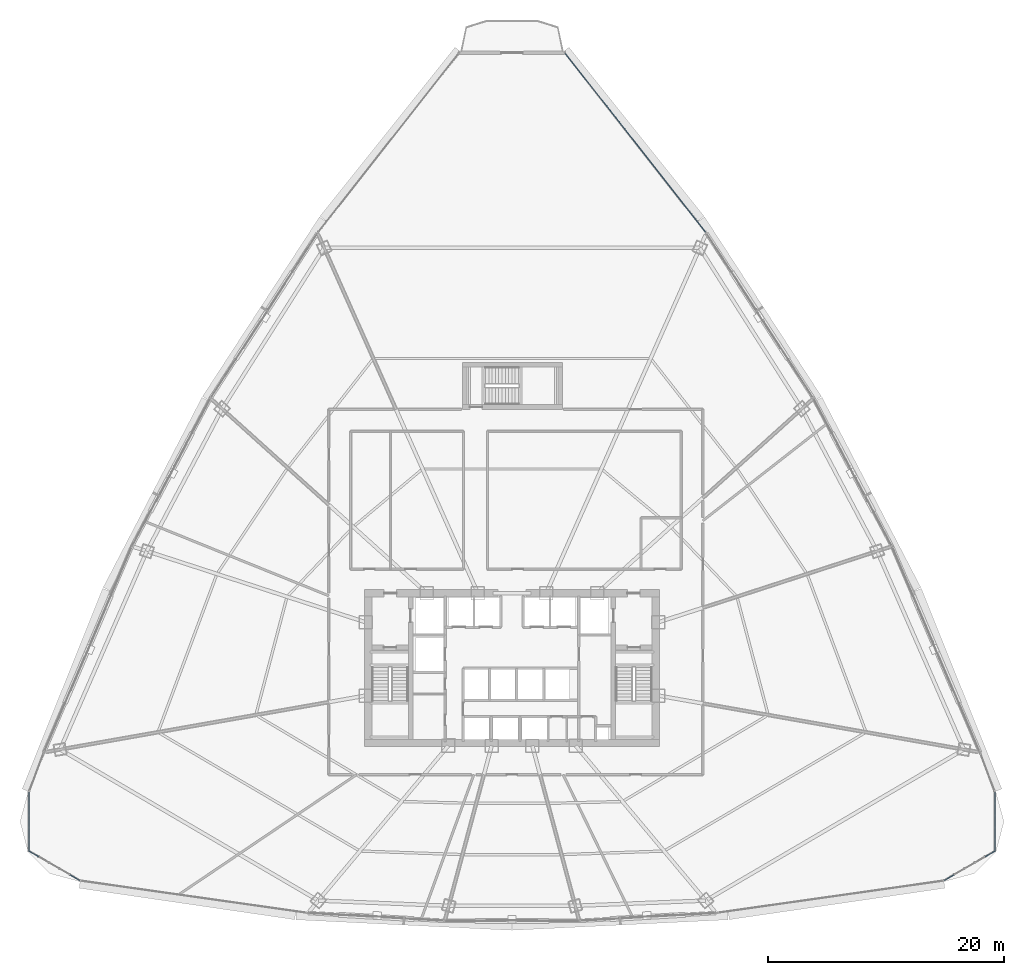
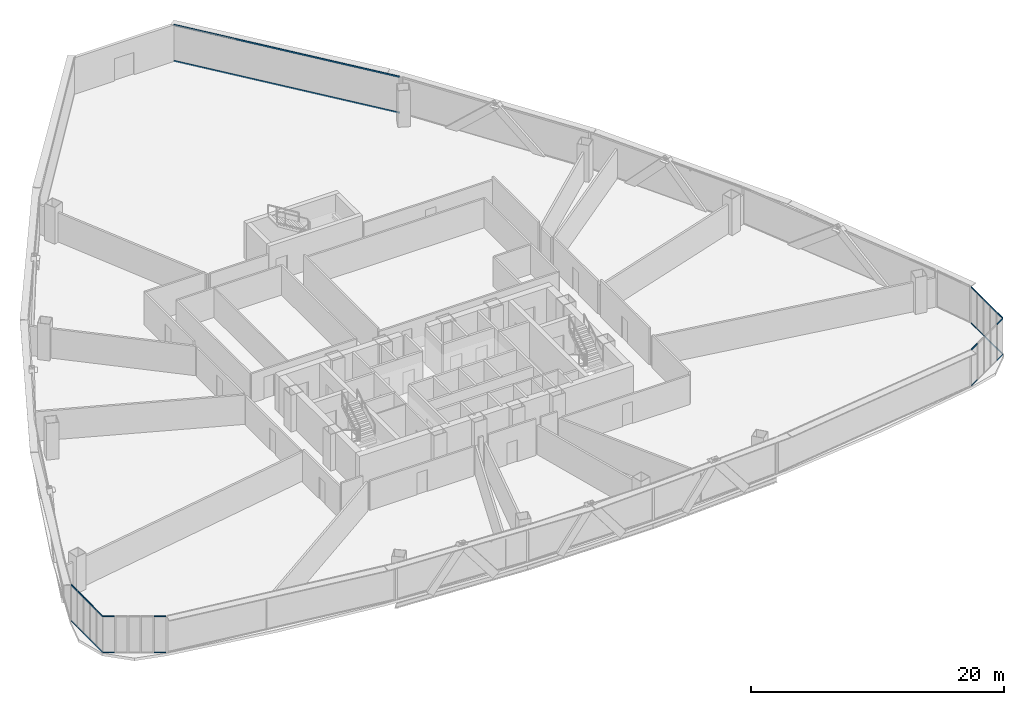
# One storey, part 29 of 41: 30 members, 5 elements without a shape of their own.
"""IFC4 building model written with IfcOpenShell, lengths in metres."""

import ifcopenshell
import ifcopenshell.guid

model = None  # the IFC model being written
_history = None  # IfcOwnerHistory: only IFC2X3 demands one
_inside = {}  # id of a spatial element -> (the spatial element, [elements in it])
_under = {}  # id of a project, library or spatial element -> (it, [spatial elements below it])
_declared = {}  # id of a project -> (the project, [libraries it declares])
_typed = {}  # id of a type object -> (the type object, [elements of that type])
_made_of = {}  # id of a material, layer set ... -> (it, [elements and type objects made of it])


def new_model(schema):
    """Start an empty IFC model of exactly this schema.

    Asked for "IFC4X3", IfcOpenShell would pick the latest addendum, in which some entities
    have other attributes; the version numbers below select the first issue.
    IFC2X3 requires an IfcOwnerHistory on every rooted entity: one is made here for all.
    """
    global model, _history
    if schema == "IFC4X3":
        model = ifcopenshell.file(schema_version=(4, 3, 0, 0))
    else:
        model = ifcopenshell.file(schema=schema)
    _inside.clear()
    _under.clear()
    _declared.clear()
    _typed.clear()
    _made_of.clear()
    _history = None
    if model.schema == "IFC2X3":
        org = make("IfcOrganization", Name="unknown")
        user = make(
            "IfcPersonAndOrganization",
            ThePerson=make("IfcPerson", FamilyName="unknown"),
            TheOrganization=org,
        )
        app = make(
            "IfcApplication",
            ApplicationDeveloper=org,
            Version="unknown",
            ApplicationFullName="unknown",
            ApplicationIdentifier="unknown",
        )
        _history = make(
            "IfcOwnerHistory",
            OwningUser=user,
            OwningApplication=app,
            ChangeAction="ADDED",
            CreationDate=0,
        )
    return model


def make(cls, **values):
    """One entity of the class cls with the attributes given. An attribute that is None is left unset."""
    return model.create_entity(
        cls, **{name: value for name, value in values.items() if value is not None}
    )


def rooted(cls, **values):
    """An entity with a GlobalId (a new one), such as an element, a storey or a relation."""
    return make(cls, GlobalId=ifcopenshell.guid.new(), OwnerHistory=_history, **values)


def si_unit(unit_type, name, prefix=None):
    """IfcSIUnit, for example si_unit("LENGTHUNIT", "METRE", prefix="MILLI")."""
    return make("IfcSIUnit", UnitType=unit_type, Prefix=prefix, Name=name)


def assignment(units):
    """IfcUnitAssignment: the units of a project."""
    return None if units is None else make("IfcUnitAssignment", Units=units)


def point(xyz):
    """IfcCartesianPoint."""
    return None if xyz is None else make("IfcCartesianPoint", Coordinates=xyz)


def direction(xyz):
    """IfcDirection."""
    return None if xyz is None else make("IfcDirection", DirectionRatios=xyz)


def frame(location, z_axis=None, x_axis=None):
    """IfcAxis2Placement3D, a coordinate frame: its origin and axes. An axis left out is left unset."""
    return make(
        "IfcAxis2Placement3D",
        Location=point(location),
        Axis=direction(z_axis),
        RefDirection=direction(x_axis),
    )


def frame_2d(location, x_axis=None):
    """IfcAxis2Placement2D, a coordinate frame in the plane: its origin and x axis."""
    return make(
        "IfcAxis2Placement2D", Location=point(location), RefDirection=direction(x_axis)
    )


def origin():
    """The frame at (0, 0, 0) with its axes left unset."""
    return frame((0.0, 0.0, 0.0))


def origin_2d():
    """The frame at (0, 0) in the plane with its x axis left unset."""
    return frame_2d((0.0, 0.0))


def place(relative_to, where):
    """IfcLocalPlacement: puts the frame where relative to a parent placement (None: the world)."""
    return make(
        "IfcLocalPlacement", PlacementRelTo=relative_to, RelativePlacement=where
    )


def context(
    kind, dimensions, precision=None, world=None, true_north=None, identifier=None
):
    """IfcGeometricRepresentationContext, for example the 3D "Model" context."""
    return make(
        "IfcGeometricRepresentationContext",
        ContextIdentifier=identifier,
        ContextType=kind,
        CoordinateSpaceDimension=dimensions,
        Precision=precision,
        WorldCoordinateSystem=world,
        TrueNorth=true_north,
    )


def subcontext(parent, identifier, kind, view, scale=None):
    """IfcGeometricRepresentationSubContext, for example "Body" below "Model"."""
    return make(
        "IfcGeometricRepresentationSubContext",
        ContextIdentifier=identifier,
        ContextType=kind,
        ParentContext=parent,
        TargetScale=scale,
        TargetView=view,
    )


def project(units=None, contexts=None):
    """IfcProject with its units and contexts."""
    return rooted(
        "IfcProject",
        Name="project",
        RepresentationContexts=contexts,
        UnitsInContext=assignment(units),
    )


def spatial(cls, under=None, at=None, **own):
    """A site, building, storey or space (cls), placed at a placement, below another one or the project."""
    s = rooted(cls, ObjectPlacement=at, **own)
    if under is not None:
        _under.setdefault(under.id(), (under, []))[1].append(s)
    return s


def profile(cls, at=None, kind="AREA", **sizes):
    """A parametric profile (cls). Its sizes go by their IFC names, for example OverallWidth=200.0."""
    return make(cls, ProfileType=kind, Position=at, **sizes)


def hollow_rectangle(**sizes):
    """IfcRectangleHollowProfileDef."""
    return profile("IfcRectangleHollowProfileDef", **sizes)


def extrude(swept, where, along, depth):
    """IfcExtrudedAreaSolid: the profile swept, set in the frame where, extruded along a direction by depth."""
    return make(
        "IfcExtrudedAreaSolid",
        SweptArea=swept,
        Position=where,
        ExtrudedDirection=direction(along),
        Depth=depth,
    )


def shape(context_of_items, identifier, shape_type, items):
    """IfcShapeRepresentation: the items that make up one representation, for example the "Body"."""
    return make(
        "IfcShapeRepresentation",
        ContextOfItems=context_of_items,
        RepresentationIdentifier=identifier,
        RepresentationType=shape_type,
        Items=items,
    )


def source(mapping_origin, context_of_items, identifier, shape_type, items):
    """IfcRepresentationMap: a shape defined once, which mapped items show again and again."""
    return make(
        "IfcRepresentationMap",
        MappingOrigin=mapping_origin,
        MappedRepresentation=shape(context_of_items, identifier, shape_type, items),
    )


def transform(
    local_origin,
    x_axis=None,
    y_axis=None,
    z_axis=None,
    scale=None,
    scale2=None,
    scale3=None,
    uniform=True,
):
    """IfcCartesianTransformationOperator3D, or its non-uniform kind. x_axis, y_axis, z_axis: its Axis1, 2, 3."""
    if uniform:
        return make(
            "IfcCartesianTransformationOperator3D",
            Axis1=direction(x_axis),
            Axis2=direction(y_axis),
            LocalOrigin=point(local_origin),
            Scale=scale,
            Axis3=direction(z_axis),
        )
    return make(
        "IfcCartesianTransformationOperator3DnonUniform",
        Axis1=direction(x_axis),
        Axis2=direction(y_axis),
        LocalOrigin=point(local_origin),
        Scale=scale,
        Axis3=direction(z_axis),
        Scale2=scale2,
        Scale3=scale3,
    )


def mapped(mapping_source, mapping_target):
    """IfcMappedItem: shows the shape of a source again, moved by a transform."""
    return make(
        "IfcMappedItem", MappingSource=mapping_source, MappingTarget=mapping_target
    )


def material(Name=None, Category=None):
    """IfcMaterial."""
    return make("IfcMaterial", Name=Name, Category=Category)


def layer(
    of_material, thickness, ventilated=None, Name=None, Category=None, Priority=None
):
    """IfcMaterialLayer: one layer of a wall or slab, of a material (None: an air gap)."""
    return make(
        "IfcMaterialLayer",
        Material=of_material,
        LayerThickness=thickness,
        IsVentilated=ventilated,
        Name=Name,
        Category=Category,
        Priority=Priority,
    )


def layer_set(layers, Name=None):
    """IfcMaterialLayerSet."""
    return make("IfcMaterialLayerSet", MaterialLayers=layers, LayerSetName=Name)


def material_profile(
    of_material, cross_section, Name=None, Category=None, Priority=None
):
    """IfcMaterialProfile: a cross section and its material."""
    return make(
        "IfcMaterialProfile",
        Name=Name,
        Material=of_material,
        Profile=cross_section,
        Priority=Priority,
        Category=Category,
    )


def profile_set(profiles, Name=None, composite=None):
    """IfcMaterialProfileSet."""
    return make(
        "IfcMaterialProfileSet",
        Name=Name,
        MaterialProfiles=profiles,
        CompositeProfile=composite,
    )


def made_of(thing, what):
    """Note that an element or type object is made of a material, layer set ...; save() writes the relation."""
    if what is not None:
        _made_of.setdefault(what.id(), (what, []))[1].append(thing)
    return thing


def type_object(cls, material=None, **own):
    """A type object (cls), such as IfcWallType, which elements share."""
    return made_of(rooted(cls, **own), material)


def element(
    cls,
    number,
    at=None,
    inside=None,
    cuts=None,
    type_object=None,
    material=None,
    context=None,
    identifier="Body",
    shape_type=None,
    held_by="IfcProductDefinitionShape",
    body=None,
    shapes=None,
    **own,
):
    """One element of the class cls, such as IfcWall. Its Tag is "e" and its number.

    at: its placement. inside: the storey or other place that contains it. cuts: it is an
    opening in that element (IfcRelVoidsElement). A single representation is given by context,
    identifier, shape_type and body (its items); several are given by shapes. held_by: the class
    of the entity that holds the representations. save() writes the other relations.
    """
    e = rooted(cls, Tag="e%d" % number, ObjectPlacement=at, **own)
    if body is not None:
        shapes = [shape(context, identifier, shape_type, body)]
    if shapes is not None:
        e.Representation = make(held_by, Representations=shapes)
    if inside is not None:
        _inside.setdefault(inside.id(), (inside, []))[1].append(e)
    if cuts is not None:
        rooted(
            "IfcRelVoidsElement", RelatingBuildingElement=cuts, RelatedOpeningElement=e
        )
    if type_object is not None:
        _typed.setdefault(type_object.id(), (type_object, []))[1].append(e)
    return made_of(e, material)


def aggregate(whole, parts):
    """IfcRelAggregates: a whole, such as a stair, and the parts it consists of."""
    return rooted("IfcRelAggregates", RelatingObject=whole, RelatedObjects=parts)


def save(model, path):
    """Write the relations noted so far, then the file.

    IfcRelAggregates (storeys below a building ...), IfcRelContainedInSpatialStructure (elements
    in a storey), IfcRelDefinesByType, IfcRelAssociatesMaterial and IfcRelDeclares: one each for
    every whole, place, type object, material and project.
    """
    for whole, parts in _under.values():
        aggregate(whole, parts)
    for where, things in _inside.values():
        rooted(
            "IfcRelContainedInSpatialStructure",
            RelatedElements=things,
            RelatingStructure=where,
        )
    for kind, things in _typed.values():
        rooted("IfcRelDefinesByType", RelatedObjects=things, RelatingType=kind)
    for what, things in _made_of.values():
        rooted("IfcRelAssociatesMaterial", RelatedObjects=things, RelatingMaterial=what)
    for by, libraries in _declared.values():
        rooted("IfcRelDeclares", RelatingContext=by, RelatedDefinitions=libraries)
    model.write(path)


model = new_model("IFC4")

# Units and contexts
model_context = context("Model", 3, precision=1e-05, world=origin(), true_north=direction((0.0, 1.0)))
body_context = subcontext(model_context, "Body", "Model", "MODEL_VIEW")
ifc_project = project(units=[si_unit("LENGTHUNIT", "METRE"), si_unit("AREAUNIT", "SQUARE_METRE"), si_unit("VOLUMEUNIT", "CUBIC_METRE"), si_unit("PLANEANGLEUNIT", "RADIAN"), si_unit("MASSUNIT", "GRAM", prefix="KILO"), si_unit("THERMODYNAMICTEMPERATUREUNIT", "KELVIN"), si_unit("POWERUNIT", "WATT")], contexts=[model_context])

# Site, building, storey
site_placement = place(None, origin())
site = spatial("IfcSite", under=ifc_project, at=site_placement, CompositionType="ELEMENT")
building_placement = place(site_placement, origin())
building = spatial("IfcBuilding", under=site, at=building_placement, Name="Yunzhuo Pagoda Commons", CompositionType="ELEMENT")
storey_placement = place(building_placement, frame((0.0, 0.0, 115.3798828125)))
storey = spatial("IfcBuildingStorey", under=building, at=storey_placement, Name="L29", CompositionType="ELEMENT", Elevation=115.3798828125)

# Curtain wall, members
ifc_material = material(Name="Anodized aluminium 6063-T6", Category="aluminium")
ifc_layer_1 = layer(ifc_material, 0.1650390625)
ifc_layer_set_1 = layer_set([ifc_layer_1], Name="Anodized aluminium 6063-T6")
curtain_wall_type_1 = type_object("IfcCurtainWallType", Name="CW-LOW Low-Zone Ribbon Curtain Wall", PredefinedType="NOTDEFINED", material=ifc_layer_set_1)
curtain_wall_1_placement = place(storey_placement, origin())
curtain_wall_1 = element("IfcCurtainWall", 1, at=curtain_wall_1_placement, inside=storey, type_object=curtain_wall_type_1, Name="L29 curtain wall CW-L29-F2B5", PredefinedType="NOTDEFINED")
ifc_material_profile_1 = material_profile(ifc_material, hollow_rectangle(XDim=0.06005859375, YDim=0.139892578125, WallThickness=0.00341796875, at=origin_2d()), Name="Anodized aluminium 6063-T6")
ifc_profile_set_1 = profile_set([ifc_material_profile_1], Name="Anodized aluminium 6063-T6")
member_type_1 = type_object("IfcMemberType", Name="CW-LOW-T Transom RHS 140x60x3.5", PredefinedType="USERDEFINED", material=ifc_profile_set_1)
shared_shape_1 = source(origin(), body_context, "Body", "SweptSolid", [
    extrude(hollow_rectangle(XDim=0.06005859375, YDim=0.139892578125, WallThickness=0.00341796875, at=origin_2d()), origin(), (0.0, 0.0, 1.0), 19.262451171875),
])
member_1_placement = place(storey_placement, frame((64.416015625, 70.875, 0.030029296875), z_axis=(-0.617738145231, 0.786383865505, 0.0), x_axis=(-0.786383865505, -0.617738145231, 0.0)))
member_1 = element("IfcMember", 2, at=member_1_placement, type_object=member_type_1, Name="CW transom 1.1", ObjectType="TRANSOM", PredefinedType="USERDEFINED", context=body_context, shape_type="MappedRepresentation", body=[
    mapped(shared_shape_1, transform((0.0, 0.0, 0.0), scale=1.0)),
])
member_2_placement = place(storey_placement, frame((64.416015625, 70.875, 3.490234375), z_axis=(-0.617738145231, 0.786383865505, 0.0), x_axis=(-0.786383865505, -0.617738145231, 0.0)))
member_2 = element("IfcMember", 3, at=member_2_placement, type_object=member_type_1, Name="CW transom 1.2", ObjectType="TRANSOM", PredefinedType="USERDEFINED", context=body_context, shape_type="MappedRepresentation", body=[
    mapped(shared_shape_1, transform((0.0, 0.0, 0.0), scale=1.0)),
])
aggregate(curtain_wall_1, [member_1, member_2])

ifc_layer_2 = layer(ifc_material, 0.1298828125)
ifc_layer_set_2 = layer_set([ifc_layer_2], Name="Anodized aluminium 6063-T6")
curtain_wall_type_2 = type_object("IfcCurtainWallType", Name="CW-VTX Rounded Corner Curtain Wall", PredefinedType="NOTDEFINED", material=ifc_layer_set_2)
curtain_wall_2_placement = place(storey_placement, origin())
curtain_wall_2 = element("IfcCurtainWall", 4, at=curtain_wall_2_placement, inside=storey, type_object=curtain_wall_type_2, Name="L29 curtain wall CW-L29-VTX1S1", PredefinedType="NOTDEFINED")
ifc_material_profile_2 = material_profile(ifc_material, hollow_rectangle(XDim=0.054931640625, YDim=0.1201171875, WallThickness=0.00341796875, at=origin_2d()), Name="Anodized aluminium 6063-T6")
ifc_profile_set_2 = profile_set([ifc_material_profile_2], Name="Anodized aluminium 6063-T6")
member_type_2 = type_object("IfcMemberType", Name="CW-VTX-T Transom RHS 120x55x3.5", PredefinedType="USERDEFINED", material=ifc_profile_set_2)
shared_shape_2 = source(origin(), body_context, "Body", "SweptSolid", [
    extrude(hollow_rectangle(XDim=0.054931640625, YDim=0.1201171875, WallThickness=0.00341796875, at=origin_2d()), origin(), (0.0, 0.0, 1.0), 0.93408203125),
])
member_3_placement = place(storey_placement, frame((7.011962890625, 23.301513671875, 0.027587890625), z_axis=(-0.003659149575, -0.99999330529, 0.0), x_axis=(0.99999330529, -0.003659149575, 0.0)))
member_3 = element("IfcMember", 5, at=member_3_placement, type_object=member_type_2, Name="CW transom 1.1", ObjectType="TRANSOM", PredefinedType="USERDEFINED", context=body_context, shape_type="MappedRepresentation", body=[
    mapped(shared_shape_2, transform((0.0, 0.0, 0.0), scale=1.0)),
])
member_4_placement = place(storey_placement, frame((7.011962890625, 23.301513671875, 3.49267578125), z_axis=(-0.003659149575, -0.99999330529, 0.0), x_axis=(0.99999330529, -0.003659149575, 0.0)))
member_4 = element("IfcMember", 6, at=member_4_placement, type_object=member_type_2, Name="CW transom 1.2", ObjectType="TRANSOM", PredefinedType="USERDEFINED", context=body_context, shape_type="MappedRepresentation", body=[
    mapped(shared_shape_2, transform((0.0, 0.0, 0.0), scale=1.0)),
])

curtain_wall_3_placement = place(storey_placement, origin())
curtain_wall_3 = element("IfcCurtainWall", 7, at=curtain_wall_3_placement, inside=storey, type_object=curtain_wall_type_2, Name="L29 curtain wall CW-L29-VTX2S1", PredefinedType="NOTDEFINED")
member_5_placement = place(storey_placement, frame((84.69384765625, 15.822265625, 0.027587890625), z_axis=(0.865414355233, 0.501056876769, 0.0), x_axis=(-0.501056876769, 0.865414355233, 0.0)))
member_5 = element("IfcMember", 8, at=member_5_placement, type_object=member_type_2, Name="CW transom 1.1", ObjectType="TRANSOM", PredefinedType="USERDEFINED", context=body_context, shape_type="MappedRepresentation", body=[
    mapped(shared_shape_2, transform((0.0, 0.0, 0.0), scale=1.0)),
])
member_6_placement = place(storey_placement, frame((84.69384765625, 15.822265625, 3.49267578125), z_axis=(0.865414355233, 0.501056876769, 0.0), x_axis=(-0.501056876769, 0.865414355233, 0.0)))
member_6 = element("IfcMember", 9, at=member_6_placement, type_object=member_type_2, Name="CW transom 1.2", ObjectType="TRANSOM", PredefinedType="USERDEFINED", context=body_context, shape_type="MappedRepresentation", body=[
    mapped(shared_shape_2, transform((0.0, 0.0, 0.0), scale=1.0)),
])

curtain_wall_4_placement = place(storey_placement, origin())
curtain_wall_4 = element("IfcCurtainWall", 10, at=curtain_wall_4_placement, inside=storey, type_object=curtain_wall_type_2, Name="L29 curtain wall CW-L29-VTX2S2", PredefinedType="NOTDEFINED")
member_7_placement = place(storey_placement, frame((88.991455078125, 22.367431640625, 0.027587890625), z_axis=(-0.003659149575, 0.99999330529, 0.0), x_axis=(-0.99999330529, -0.003659149575, 0.0)))
member_7 = element("IfcMember", 11, at=member_7_placement, type_object=member_type_2, Name="CW transom 5.1", ObjectType="TRANSOM", PredefinedType="USERDEFINED", context=body_context, shape_type="MappedRepresentation", body=[
    mapped(shared_shape_2, transform((0.0, 0.0, 0.0), scale=1.0)),
])
member_8_placement = place(storey_placement, frame((88.991455078125, 22.367431640625, 3.49267578125), z_axis=(-0.003659149575, 0.99999330529, 0.0), x_axis=(-0.99999330529, -0.003659149575, 0.0)))
member_8 = element("IfcMember", 12, at=member_8_placement, type_object=member_type_2, Name="CW transom 5.2", ObjectType="TRANSOM", PredefinedType="USERDEFINED", context=body_context, shape_type="MappedRepresentation", body=[
    mapped(shared_shape_2, transform((0.0, 0.0, 0.0), scale=1.0)),
])

# Member
shared_shape_3 = source(origin(), body_context, "Body", "SweptSolid", [
    extrude(hollow_rectangle(XDim=0.054931640625, YDim=0.1201171875, WallThickness=0.00341796875, at=origin_2d()), origin(), (0.0, 0.0, 1.0), 0.9619140625),
])
member_9_placement = place(storey_placement, frame((7.008544921875, 22.312255859375, 0.027587890625), z_axis=(-0.003807079009, -0.999992753048, 0.0), x_axis=(0.999992753048, -0.003807079009, 0.0)))
member_9 = element("IfcMember", 13, at=member_9_placement, type_object=member_type_2, Name="CW transom 2.1", ObjectType="TRANSOM", PredefinedType="USERDEFINED", context=body_context, shape_type="MappedRepresentation", body=[
    mapped(shared_shape_3, transform((0.0, 0.0, 0.0), scale=1.0)),
])

member_10_placement = place(storey_placement, frame((7.008544921875, 22.312255859375, 3.49267578125), z_axis=(-0.003807079009, -0.999992753048, 0.0), x_axis=(0.999992753048, -0.003807079009, 0.0)))
member_10 = element("IfcMember", 14, at=member_10_placement, type_object=member_type_2, Name="CW transom 2.2", ObjectType="TRANSOM", PredefinedType="USERDEFINED", context=body_context, shape_type="MappedRepresentation", body=[
    mapped(shared_shape_3, transform((0.0, 0.0, 0.0), scale=1.0)),
])

member_11_placement = place(storey_placement, frame((7.0048828125, 21.29541015625, 0.027587890625), z_axis=(-0.003807079009, -0.999992753048, 0.0), x_axis=(0.999992753048, -0.003807079009, 0.0)))
member_11 = element("IfcMember", 15, at=member_11_placement, type_object=member_type_2, Name="CW transom 3.1", ObjectType="TRANSOM", PredefinedType="USERDEFINED", context=body_context, shape_type="MappedRepresentation", body=[
    mapped(shared_shape_3, transform((0.0, 0.0, 0.0), scale=1.0)),
])

member_12_placement = place(storey_placement, frame((7.0048828125, 21.29541015625, 3.49267578125), z_axis=(-0.003807079009, -0.999992753048, 0.0), x_axis=(0.999992753048, -0.003807079009, 0.0)))
member_12 = element("IfcMember", 16, at=member_12_placement, type_object=member_type_2, Name="CW transom 3.2", ObjectType="TRANSOM", PredefinedType="USERDEFINED", context=body_context, shape_type="MappedRepresentation", body=[
    mapped(shared_shape_3, transform((0.0, 0.0, 0.0), scale=1.0)),
])

member_13_placement = place(storey_placement, frame((88.998779296875, 20.33349609375, 0.027587890625), z_axis=(-0.003807079009, 0.999992753048, 0.0), x_axis=(-0.999992753048, -0.003807079009, 0.0)))
member_13 = element("IfcMember", 17, at=member_13_placement, type_object=member_type_2, Name="CW transom 3.1", ObjectType="TRANSOM", PredefinedType="USERDEFINED", context=body_context, shape_type="MappedRepresentation", body=[
    mapped(shared_shape_3, transform((0.0, 0.0, 0.0), scale=1.0)),
])

member_14_placement = place(storey_placement, frame((88.998779296875, 20.33349609375, 3.49267578125), z_axis=(-0.003807079009, 0.999992753048, 0.0), x_axis=(-0.999992753048, -0.003807079009, 0.0)))
member_14 = element("IfcMember", 18, at=member_14_placement, type_object=member_type_2, Name="CW transom 3.2", ObjectType="TRANSOM", PredefinedType="USERDEFINED", context=body_context, shape_type="MappedRepresentation", body=[
    mapped(shared_shape_3, transform((0.0, 0.0, 0.0), scale=1.0)),
])

member_15_placement = place(storey_placement, frame((88.9951171875, 21.350341796875, 0.027587890625), z_axis=(-0.003807079009, 0.999992753048, 0.0), x_axis=(-0.999992753048, -0.003807079009, 0.0)))
member_15 = element("IfcMember", 19, at=member_15_placement, type_object=member_type_2, Name="CW transom 4.1", ObjectType="TRANSOM", PredefinedType="USERDEFINED", context=body_context, shape_type="MappedRepresentation", body=[
    mapped(shared_shape_3, transform((0.0, 0.0, 0.0), scale=1.0)),
])

member_16_placement = place(storey_placement, frame((88.9951171875, 21.350341796875, 3.49267578125), z_axis=(-0.003807079009, 0.999992753048, 0.0), x_axis=(-0.999992753048, -0.003807079009, 0.0)))
member_16 = element("IfcMember", 20, at=member_16_placement, type_object=member_type_2, Name="CW transom 4.2", ObjectType="TRANSOM", PredefinedType="USERDEFINED", context=body_context, shape_type="MappedRepresentation", body=[
    mapped(shared_shape_3, transform((0.0, 0.0, 0.0), scale=1.0)),
])

shared_shape_4 = source(origin(), body_context, "Body", "SweptSolid", [
    extrude(hollow_rectangle(XDim=0.054931640625, YDim=0.1201171875, WallThickness=0.00341796875, at=origin_2d()), origin(), (0.0, 0.0, 1.0), 0.962158203125),
])
member_17_placement = place(storey_placement, frame((7.001220703125, 20.27880859375, 0.027587890625), z_axis=(-0.003806113005, -0.999992756726, 0.0), x_axis=(0.999992756726, -0.003806113005, 0.0)))
member_17 = element("IfcMember", 21, at=member_17_placement, type_object=member_type_2, Name="CW transom 4.1", ObjectType="TRANSOM", PredefinedType="USERDEFINED", context=body_context, shape_type="MappedRepresentation", body=[
    mapped(shared_shape_4, transform((0.0, 0.0, 0.0), scale=1.0)),
])

member_18_placement = place(storey_placement, frame((7.001220703125, 20.27880859375, 3.49267578125), z_axis=(-0.003806113005, -0.999992756726, 0.0), x_axis=(0.999992756726, -0.003806113005, 0.0)))
member_18 = element("IfcMember", 22, at=member_18_placement, type_object=member_type_2, Name="CW transom 4.2", ObjectType="TRANSOM", PredefinedType="USERDEFINED", context=body_context, shape_type="MappedRepresentation", body=[
    mapped(shared_shape_4, transform((0.0, 0.0, 0.0), scale=1.0)),
])

member_19_placement = place(storey_placement, frame((89.00244140625, 19.316650390625, 0.027587890625), z_axis=(-0.003806113005, 0.999992756726, 0.0), x_axis=(-0.999992756726, -0.003806113005, 0.0)))
member_19 = element("IfcMember", 23, at=member_19_placement, type_object=member_type_2, Name="CW transom 2.1", ObjectType="TRANSOM", PredefinedType="USERDEFINED", context=body_context, shape_type="MappedRepresentation", body=[
    mapped(shared_shape_4, transform((0.0, 0.0, 0.0), scale=1.0)),
])

member_20_placement = place(storey_placement, frame((89.00244140625, 19.316650390625, 3.49267578125), z_axis=(-0.003806113005, 0.999992756726, 0.0), x_axis=(-0.999992756726, -0.003806113005, 0.0)))
member_20 = element("IfcMember", 24, at=member_20_placement, type_object=member_type_2, Name="CW transom 2.2", ObjectType="TRANSOM", PredefinedType="USERDEFINED", context=body_context, shape_type="MappedRepresentation", body=[
    mapped(shared_shape_4, transform((0.0, 0.0, 0.0), scale=1.0)),
])

shared_shape_5 = source(origin(), body_context, "Body", "SweptSolid", [
    extrude(hollow_rectangle(XDim=0.054931640625, YDim=0.1201171875, WallThickness=0.00341796875, at=origin_2d()), origin(), (0.0, 0.0, 1.0), 0.934326171875),
])
member_21_placement = place(storey_placement, frame((6.99755859375, 19.26171875, 0.027587890625), z_axis=(-0.003658193447, -0.999993308788, 0.0), x_axis=(0.999993308788, -0.003658193447, 0.0)))
member_21 = element("IfcMember", 25, at=member_21_placement, type_object=member_type_2, Name="CW transom 5.1", ObjectType="TRANSOM", PredefinedType="USERDEFINED", context=body_context, shape_type="MappedRepresentation", body=[
    mapped(shared_shape_5, transform((0.0, 0.0, 0.0), scale=1.0)),
])

member_22_placement = place(storey_placement, frame((6.99755859375, 19.26171875, 3.49267578125), z_axis=(-0.003658193447, -0.999993308788, 0.0), x_axis=(0.999993308788, -0.003658193447, 0.0)))
member_22 = element("IfcMember", 26, at=member_22_placement, type_object=member_type_2, Name="CW transom 5.2", ObjectType="TRANSOM", PredefinedType="USERDEFINED", context=body_context, shape_type="MappedRepresentation", body=[
    mapped(shared_shape_5, transform((0.0, 0.0, 0.0), scale=1.0)),
])

aggregate(curtain_wall_2, [member_3, member_4, member_9, member_10, member_11, member_12, member_17, member_18, member_21, member_22])

# Curtain wall, members
curtain_wall_5_placement = place(storey_placement, origin())
curtain_wall_5 = element("IfcCurtainWall", 27, at=curtain_wall_5_placement, inside=storey, type_object=curtain_wall_type_2, Name="L29 curtain wall CW-L29-VTX1S2", PredefinedType="NOTDEFINED")
member_23_placement = place(storey_placement, frame((7.001708984375, 18.314453125, 0.027587890625), z_axis=(0.865366650634, -0.501139262052, 0.0), x_axis=(0.501139262052, 0.865366650634, 0.0)))
member_23 = element("IfcMember", 28, at=member_23_placement, type_object=member_type_2, Name="CW transom 1.1", ObjectType="TRANSOM", PredefinedType="USERDEFINED", context=body_context, shape_type="MappedRepresentation", body=[
    mapped(shared_shape_5, transform((0.0, 0.0, 0.0), scale=1.0)),
])
member_24_placement = place(storey_placement, frame((7.001708984375, 18.314453125, 3.49267578125), z_axis=(0.865366650634, -0.501139262052, 0.0), x_axis=(0.501139262052, 0.865366650634, 0.0)))
member_24 = element("IfcMember", 29, at=member_24_placement, type_object=member_type_2, Name="CW transom 1.2", ObjectType="TRANSOM", PredefinedType="USERDEFINED", context=body_context, shape_type="MappedRepresentation", body=[
    mapped(shared_shape_5, transform((0.0, 0.0, 0.0), scale=1.0)),
])

# Member
member_25_placement = place(storey_placement, frame((88.189697265625, 17.84619140625, 0.027587890625), z_axis=(0.865366650634, 0.501139262052, 0.0), x_axis=(-0.501139262052, 0.865366650634, 0.0)))
member_25 = element("IfcMember", 30, at=member_25_placement, type_object=member_type_2, Name="CW transom 5.1", ObjectType="TRANSOM", PredefinedType="USERDEFINED", context=body_context, shape_type="MappedRepresentation", body=[
    mapped(shared_shape_5, transform((0.0, 0.0, 0.0), scale=1.0)),
])

member_26_placement = place(storey_placement, frame((88.189697265625, 17.84619140625, 3.49267578125), z_axis=(0.865366650634, 0.501139262052, 0.0), x_axis=(-0.501139262052, 0.865366650634, 0.0)))
member_26 = element("IfcMember", 31, at=member_26_placement, type_object=member_type_2, Name="CW transom 5.2", ObjectType="TRANSOM", PredefinedType="USERDEFINED", context=body_context, shape_type="MappedRepresentation", body=[
    mapped(shared_shape_5, transform((0.0, 0.0, 0.0), scale=1.0)),
])

aggregate(curtain_wall_3, [member_5, member_6, member_25, member_26])

member_27_placement = place(storey_placement, frame((89.005859375, 18.327392578125, 0.027587890625), z_axis=(-0.003658193447, 0.999993308788, 0.0), x_axis=(-0.999993308788, -0.003658193447, 0.0)))
member_27 = element("IfcMember", 32, at=member_27_placement, type_object=member_type_2, Name="CW transom 1.1", ObjectType="TRANSOM", PredefinedType="USERDEFINED", context=body_context, shape_type="MappedRepresentation", body=[
    mapped(shared_shape_5, transform((0.0, 0.0, 0.0), scale=1.0)),
])

member_28_placement = place(storey_placement, frame((89.005859375, 18.327392578125, 3.49267578125), z_axis=(-0.003658193447, 0.999993308788, 0.0), x_axis=(-0.999993308788, -0.003658193447, 0.0)))
member_28 = element("IfcMember", 33, at=member_28_placement, type_object=member_type_2, Name="CW transom 1.2", ObjectType="TRANSOM", PredefinedType="USERDEFINED", context=body_context, shape_type="MappedRepresentation", body=[
    mapped(shared_shape_5, transform((0.0, 0.0, 0.0), scale=1.0)),
])

aggregate(curtain_wall_4, [member_27, member_28, member_19, member_20, member_13, member_14, member_15, member_16, member_7, member_8])

shared_shape_6 = source(origin(), body_context, "Body", "SweptSolid", [
    extrude(hollow_rectangle(XDim=0.054931640625, YDim=0.1201171875, WallThickness=0.00341796875, at=origin_2d()), origin(), (0.0, 0.0, 1.0), 0.9345703125),
])
member_29_placement = place(storey_placement, frame((10.497802734375, 16.290283203125, 0.027587890625), z_axis=(0.865545507051, -0.500830285849, 0.0), x_axis=(0.500830285849, 0.865545507051, 0.0)))
member_29 = element("IfcMember", 34, at=member_29_placement, type_object=member_type_2, Name="CW transom 5.1", ObjectType="TRANSOM", PredefinedType="USERDEFINED", context=body_context, shape_type="MappedRepresentation", body=[
    mapped(shared_shape_6, transform((0.0, 0.0, 0.0), scale=1.0)),
])

member_30_placement = place(storey_placement, frame((10.497802734375, 16.290283203125, 3.49267578125), z_axis=(0.865545507051, -0.500830285849, 0.0), x_axis=(0.500830285849, 0.865545507051, 0.0)))
member_30 = element("IfcMember", 35, at=member_30_placement, type_object=member_type_2, Name="CW transom 5.2", ObjectType="TRANSOM", PredefinedType="USERDEFINED", context=body_context, shape_type="MappedRepresentation", body=[
    mapped(shared_shape_6, transform((0.0, 0.0, 0.0), scale=1.0)),
])

aggregate(curtain_wall_5, [member_23, member_24, member_29, member_30])

save(model, "model.ifc")
